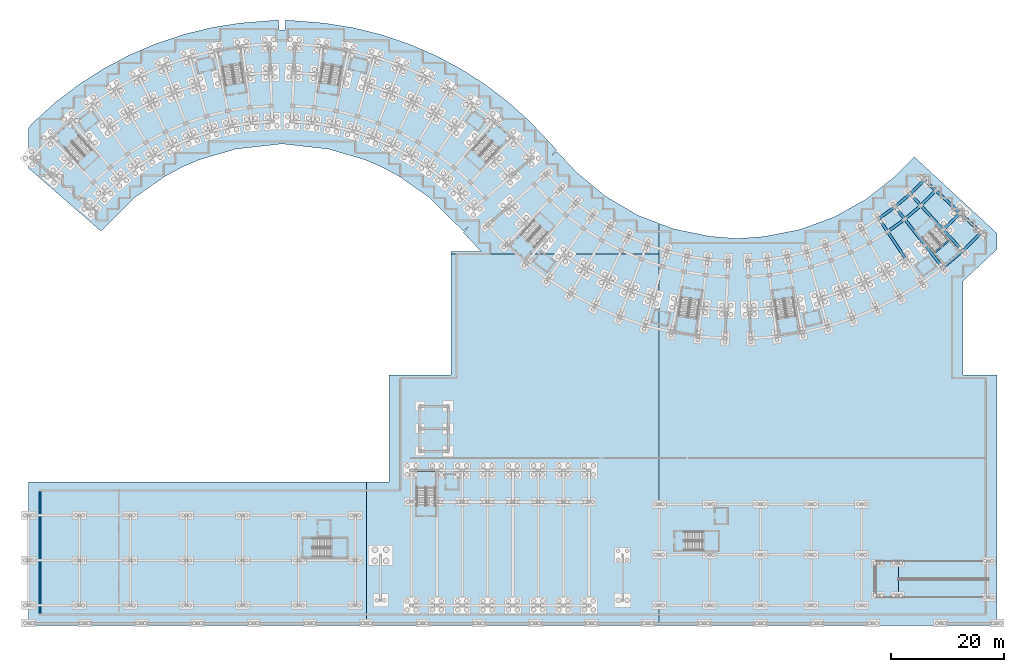
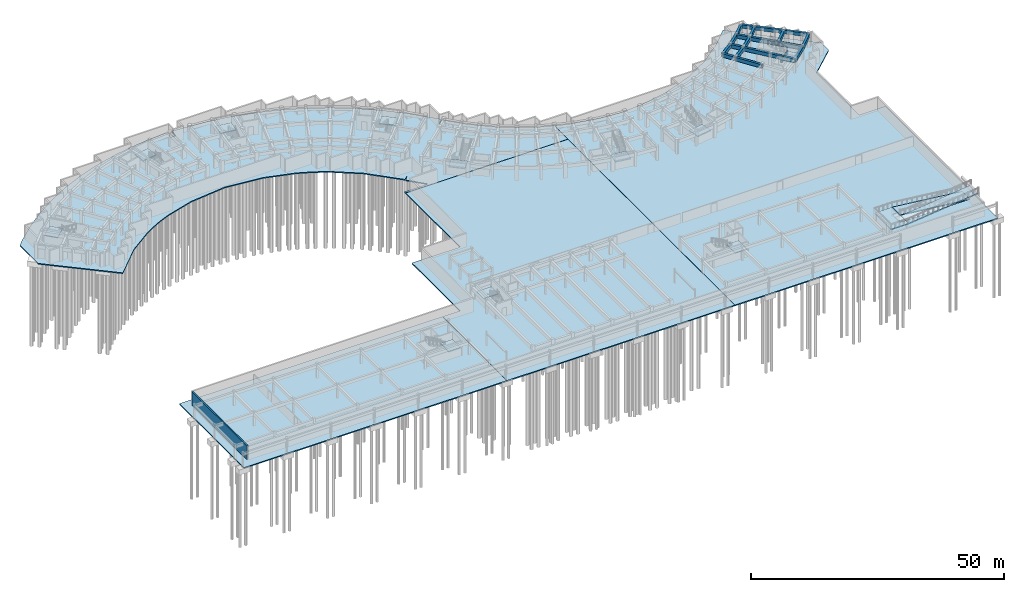
# One storey, part 15 of 32: 21 beams, 18 slabs, 1 wall, 11 elements without a shape of their own.
"""IFC4 building model written with IfcOpenShell, lengths in metres."""

from ifc_helpers import new_model, si_unit, direction, frame, frame_2d, origin, origin_2d, place, context, subcontext, project, spatial, polyline, rectangle, outline, extrude, material, layer, layer_set, material_profile, profile_set, type_object, element, aggregate, save


model = new_model("IFC4")

# Units and contexts
model_context = context("Model", 3, precision=1e-05, world=origin(), true_north=direction((0.0, 1.0)))
body_context = subcontext(model_context, "Body", "Model", "MODEL_VIEW")
ifc_project = project(units=[si_unit("LENGTHUNIT", "METRE"), si_unit("AREAUNIT", "SQUARE_METRE"), si_unit("VOLUMEUNIT", "CUBIC_METRE"), si_unit("PLANEANGLEUNIT", "RADIAN"), si_unit("MASSUNIT", "GRAM", prefix="KILO")], contexts=[model_context])

# Site, building, storey
site_placement = place(None, origin())
site = spatial("IfcSite", under=ifc_project, at=site_placement, CompositionType="ELEMENT")
building_placement = place(site_placement, origin())
building = spatial("IfcBuilding", under=site, at=building_placement, Name="Zimvara Arc Housing Community", CompositionType="ELEMENT")
storey_placement = place(building_placement, frame((0.0, 0.0, -3.60009765625)))
storey = spatial("IfcBuildingStorey", under=building, at=storey_placement, Name="B1", CompositionType="ELEMENT", Elevation=-3.60009765625)

# Beams
ifc_material_1 = material(Name="Concrete C40/50", Category="concrete")
ifc_material_profile_1 = material_profile(ifc_material_1, rectangle(XDim=0.300048828125, YDim=0.5, at=origin_2d()), Name="RC 300x500")
ifc_profile_set_1 = profile_set([ifc_material_profile_1], Name="Concrete C40/50")
beam_type_1 = type_object("IfcBeamType", Name="BM-RC-300x500", PredefinedType="BEAM", material=ifc_profile_set_1)
beam_1_placement = place(storey_placement, frame((160.844482421875, 66.21533203125, 1.550048828125), z_axis=(0.760986863652, 0.648767287515, 0.0), x_axis=(-0.648767287515, 0.760986863652, 0.0)))
element("IfcBeam", 1, at=beam_1_placement, inside=storey, type_object=beam_type_1, Name="bm:stair_trim:ST-D2:B1:mid", PredefinedType="BEAM", context=body_context, shape_type="SweptSolid", body=[
    extrude(rectangle(XDim=0.300048828125, YDim=0.5, at=origin_2d()), origin(), (0.0, 0.0, 1.0), 3.570068359375),
])
ifc_material_2 = material(Name="Concrete C40/50", Category="concrete")
ifc_material_profile_2 = material_profile(ifc_material_2, rectangle(XDim=0.5, YDim=0.85009765625, at=origin_2d()), Name="RC 500x850")
ifc_profile_set_2 = profile_set([ifc_material_profile_2], Name="Concrete C40/50")
beam_type_2 = type_object("IfcBeamType", Name="BM-RC-500x850", PredefinedType="BEAM", material=ifc_profile_set_2)
beam_2_placement = place(storey_placement, frame((151.0146484375, 72.322265625, 2.875), z_axis=(0.809531019898, 0.587077105517, 0.0), x_axis=(-0.587077105517, 0.809531019898, 0.0)))
element("IfcBeam", 2, at=beam_2_placement, inside=storey, type_object=beam_type_2, Name="bm:blkD:B1:chord:r0:b7", PredefinedType="BEAM", context=body_context, shape_type="SweptSolid", body=[
    extrude(rectangle(XDim=0.5, YDim=0.85009765625, at=origin_2d()), origin(), (0.0, 0.0, 1.0), 3.542724609375),
])
beam_3_placement = place(storey_placement, frame((153.882568359375, 74.402099609375, 2.875), z_axis=(0.760971029961, 0.648785859556, 0.0), x_axis=(-0.648785859556, 0.760971029961, 0.0)))
element("IfcBeam", 3, at=beam_3_placement, inside=storey, type_object=beam_type_2, Name="bm:blkD:B1:chord:r0:b8", PredefinedType="BEAM", context=body_context, shape_type="SweptSolid", body=[
    extrude(rectangle(XDim=0.5, YDim=0.85009765625, at=origin_2d()), origin(), (0.0, 0.0, 1.0), 3.54296875),
])
beam_4_placement = place(storey_placement, frame((156.57861328125, 76.70068359375, 2.875), z_axis=(0.70772671761, 0.706486300773, 0.0), x_axis=(-0.706486300773, 0.70772671761, 0.0)))
element("IfcBeam", 4, at=beam_4_placement, inside=storey, type_object=beam_type_2, Name="bm:blkD:B1:chord:r0:b9", PredefinedType="BEAM", context=body_context, shape_type="SweptSolid", body=[
    extrude(rectangle(XDim=0.5, YDim=0.85009765625, at=origin_2d()), origin(), (0.0, 0.0, 1.0), 3.542724609375),
])
for number, where, z_axis, x_axis, name in (
    (5, (152.568115234375, 69.99267578125, 2.875), (0.809521012702, 0.58709090437, 0.0), (-0.58709090437, 0.809521012702, 0.0), "bm:blkD:B1:chord:r1:b7"),
    (6, (155.614013671875, 72.20166015625, 2.875), (0.760971502801, 0.648785304955, 0.0), (-0.648785304955, 0.760971502801, 0.0), "bm:blkD:B1:chord:r1:b8"),
):
    element("IfcBeam", number, at=place(storey_placement, frame(where, z_axis=z_axis, x_axis=x_axis)), inside=storey, type_object=beam_type_2, Name=name, PredefinedType="BEAM", context=body_context, shape_type="SweptSolid", body=[
        extrude(rectangle(XDim=0.5, YDim=0.85009765625, at=origin_2d()), origin(), (0.0, 0.0, 1.0), 3.7626953125),
    ])
beam_5_placement = place(storey_placement, frame((158.477294921875, 74.642822265625, 2.875), z_axis=(0.707722882862, 0.706490142234, 0.0), x_axis=(-0.706490142234, 0.707722882862, 0.0)))
element("IfcBeam", 7, at=beam_5_placement, inside=storey, type_object=beam_type_2, Name="bm:blkD:B1:chord:r1:b9", PredefinedType="BEAM", context=body_context, shape_type="SweptSolid", body=[
    extrude(rectangle(XDim=0.5, YDim=0.85009765625, at=origin_2d()), origin(), (0.0, 0.0, 1.0), 3.762939453125),
])
beam_6_placement = place(storey_placement, frame((162.465087890625, 70.321533203125, 2.875), z_axis=(0.707684482516, 0.706528607493, 0.0), x_axis=(-0.706528607493, 0.707684482516, 0.0)))
element("IfcBeam", 8, at=beam_6_placement, inside=storey, type_object=beam_type_2, Name="bm:blkD:B1:chord:r2:b9", PredefinedType="BEAM", context=body_context, shape_type="SweptSolid", body=[
    extrude(rectangle(XDim=0.5, YDim=0.85009765625, at=origin_2d()), origin(), (0.0, 0.0, 1.0), 4.224365234375),
])
for number, where, z_axis, x_axis, name in (
    (9, (162.391845703125, 63.5888671875, 2.875), (0.761009534972, 0.648740693715, 0.0), (-0.648740693715, 0.761009534972, 0.0), "bm:blkD:B1:chord:r3:b8"),
    (10, (165.91015625, 66.588134765625, 2.875), (0.707713796096, 0.706499244738, 0.0), (-0.706499244738, 0.707713796096, 0.0), "bm:blkD:B1:chord:r3:b9"),
):
    element("IfcBeam", number, at=place(storey_placement, frame(where, z_axis=z_axis, x_axis=x_axis)), inside=storey, type_object=beam_type_2, Name=name, PredefinedType="BEAM", context=body_context, shape_type="SweptSolid", body=[
        extrude(rectangle(XDim=0.5, YDim=0.85009765625, at=origin_2d()), origin(), (0.0, 0.0, 1.0), 4.623291015625),
    ])
beam_7_placement = place(storey_placement, frame((151.0146484375, 72.322265625, 2.875), z_axis=(0.55480079798, -0.831983217716, 0.0), x_axis=(0.831983217716, 0.55480079798, 0.0)))
element("IfcBeam", 11, at=beam_7_placement, inside=storey, type_object=beam_type_2, Name="bm:blkD:B1:rad:b7:r01", PredefinedType="BEAM", context=body_context, shape_type="SweptSolid", body=[
    extrude(rectangle(XDim=0.5, YDim=0.85009765625, at=origin_2d()), origin(), (0.0, 0.0, 1.0), 2.800048828125),
])
beam_8_placement = place(storey_placement, frame((152.568115234375, 69.99267578125, 2.875), z_axis=(0.554843914175, -0.831954464441, 0.0), x_axis=(0.831954464441, 0.554843914175, 0.0)))
element("IfcBeam", 12, at=beam_8_placement, inside=storey, type_object=beam_type_2, Name="bm:blkD:B1:rad:b7:r12", PredefinedType="BEAM", context=body_context, shape_type="SweptSolid", body=[
    extrude(rectangle(XDim=0.5, YDim=0.85009765625, at=origin_2d()), origin(), (0.0, 0.0, 1.0), 5.8798828125),
])
beam_9_placement = place(storey_placement, frame((153.882568359375, 74.402099609375, 2.875), z_axis=(0.618379767762, -0.785879420028, 0.0), x_axis=(0.785879420028, 0.618379767762, 0.0)))
element("IfcBeam", 13, at=beam_9_placement, inside=storey, type_object=beam_type_2, Name="bm:blkD:B1:rad:b8:r01", PredefinedType="BEAM", context=body_context, shape_type="SweptSolid", body=[
    extrude(rectangle(XDim=0.5, YDim=0.85009765625, at=origin_2d()), origin(), (0.0, 0.0, 1.0), 2.800048828125),
])
beam_10_placement = place(storey_placement, frame((155.614013671875, 72.20166015625, 2.875), z_axis=(0.618431976389, -0.785838336161, 0.0), x_axis=(0.785838336161, 0.618431976389, 0.0)))
element("IfcBeam", 14, at=beam_10_placement, inside=storey, type_object=beam_type_2, Name="bm:blkD:B1:rad:b8:r12", PredefinedType="BEAM", context=body_context, shape_type="SweptSolid", body=[
    extrude(rectangle(XDim=0.5, YDim=0.85009765625, at=origin_2d()), origin(), (0.0, 0.0, 1.0), 5.880126953125),
])
beam_11_placement = place(storey_placement, frame((159.25048828125, 67.580810546875, 2.875), z_axis=(0.618409338539, -0.785856150964, 0.0), x_axis=(0.785856150964, 0.618409338539, 0.0)))
element("IfcBeam", 15, at=beam_11_placement, inside=storey, type_object=beam_type_2, Name="bm:blkD:B1:rad:b8:r23", PredefinedType="BEAM", context=body_context, shape_type="SweptSolid", body=[
    extrude(rectangle(XDim=0.5, YDim=0.85009765625, at=origin_2d()), origin(), (0.0, 0.0, 1.0), 5.079833984375),
])
beam_12_placement = place(storey_placement, frame((156.57861328125, 76.70068359375, 2.875), z_axis=(0.678109874626, -0.734960541754, 0.0), x_axis=(0.734960541754, 0.678109874626, 0.0)))
element("IfcBeam", 16, at=beam_12_placement, inside=storey, type_object=beam_type_2, Name="bm:blkD:B1:rad:b9:r01", PredefinedType="BEAM", context=body_context, shape_type="SweptSolid", body=[
    extrude(rectangle(XDim=0.5, YDim=0.85009765625, at=origin_2d()), origin(), (0.0, 0.0, 1.0), 2.800048828125),
])
beam_13_placement = place(storey_placement, frame((158.477294921875, 74.642822265625, 2.875), z_axis=(0.678180078146, -0.734895762409, 0.0), x_axis=(0.734895762409, 0.678180078146, 0.0)))
element("IfcBeam", 17, at=beam_13_placement, inside=storey, type_object=beam_type_2, Name="bm:blkD:B1:rad:b9:r12", PredefinedType="BEAM", context=body_context, shape_type="SweptSolid", body=[
    extrude(rectangle(XDim=0.5, YDim=0.85009765625, at=origin_2d()), origin(), (0.0, 0.0, 1.0), 5.880126953125),
])
beam_14_placement = place(storey_placement, frame((162.465087890625, 70.321533203125, 2.875), z_axis=(0.678158334116, -0.734915827744, 0.0), x_axis=(0.734915827744, 0.678158334116, 0.0)))
element("IfcBeam", 18, at=beam_14_placement, inside=storey, type_object=beam_type_2, Name="bm:blkD:B1:rad:b9:r23", PredefinedType="BEAM", context=body_context, shape_type="SweptSolid", body=[
    extrude(rectangle(XDim=0.5, YDim=0.85009765625, at=origin_2d()), origin(), (0.0, 0.0, 1.0), 5.080078125),
])
beam_15_placement = place(storey_placement, frame((159.0859375, 79.20361328125, 2.875), z_axis=(0.733746184278, -0.679423680083, 0.0), x_axis=(0.679423680083, 0.733746184278, 0.0)))
element("IfcBeam", 19, at=beam_15_placement, inside=storey, type_object=beam_type_2, Name="bm:blkD:B1:rad:b10:r01", PredefinedType="BEAM", context=body_context, shape_type="SweptSolid", body=[
    extrude(rectangle(XDim=0.5, YDim=0.85009765625, at=origin_2d()), origin(), (0.0, 0.0, 1.0), 2.800048828125),
])
beam_16_placement = place(storey_placement, frame((161.140380859375, 77.30126953125, 2.875), z_axis=(0.733720040868, -0.679451912668, 0.0), x_axis=(0.679451912668, 0.733720040868, 0.0)))
element("IfcBeam", 20, at=beam_16_placement, inside=storey, type_object=beam_type_2, Name="bm:blkD:B1:rad:b10:r12", PredefinedType="BEAM", context=body_context, shape_type="SweptSolid", body=[
    extrude(rectangle(XDim=0.5, YDim=0.85009765625, at=origin_2d()), origin(), (0.0, 0.0, 1.0), 5.8798828125),
])
beam_17_placement = place(storey_placement, frame((165.45458984375, 73.30615234375, 2.875), z_axis=(0.733737603291, -0.679432947035, 0.0), x_axis=(0.679432947035, 0.733737603291, 0.0)))
element("IfcBeam", 21, at=beam_17_placement, inside=storey, type_object=beam_type_2, Name="bm:blkD:B1:rad:b10:r23", PredefinedType="BEAM", context=body_context, shape_type="SweptSolid", body=[
    extrude(rectangle(XDim=0.5, YDim=0.85009765625, at=origin_2d()), origin(), (0.0, 0.0, 1.0), 5.080322265625),
])

# Slabs
ifc_material_3 = material(Name="Concrete C35/45", Category="concrete")
ifc_layer_1 = layer(ifc_material_3, 0.25)
ifc_layer_set_1 = layer_set([ifc_layer_1], Name="Concrete C35/45")
slab_type_1 = type_object("IfcSlabType", Name="SLB-BASE-250", PredefinedType="BASESLAB", material=ifc_layer_set_1)
slab_1_placement = place(storey_placement, frame((0.0, 0.0, -0.25)))
element("IfcSlab", 22, at=slab_1_placement, inside=storey, type_object=slab_type_1, Name="slab:B1:base:z1", PredefinedType="BASESLAB", context=body_context, shape_type="SweptSolid", body=[
    extrude(outline(polyline([(59.989990234375, 0.0), (59.989990234375, 25.5), (0.0, 25.5), (0.0, 0.0), (59.989990234375, 0.0)])), origin(), (0.0, 0.0, 1.0), 0.25),
])
slab_2_placement = place(storey_placement, frame((0.0, 0.0, -0.25)))
element("IfcSlab", 23, at=slab_2_placement, inside=storey, type_object=slab_type_1, Name="slab:B1:base:z2", PredefinedType="BASESLAB", context=body_context, shape_type="SweptSolid", body=[
    extrude(outline(polyline([(64.0, 44.5), (64.0, 25.5), (60.010009765625, 25.5), (60.010009765625, 0.0), (111.989990234375, 0.0), (111.989990234375, 66.0), (75.0, 66.0), (75.0, 44.5), (64.0, 44.5)])), origin(), (0.0, 0.0, 1.0), 0.25),
])
slab_3_placement = place(storey_placement, frame((0.0, 0.0, -0.25)))
element("IfcSlab", 24, at=slab_3_placement, inside=storey, type_object=slab_type_1, Name="slab:B1:base:z3", PredefinedType="BASESLAB", context=body_context, shape_type="SweptSolid", body=[
    extrude(outline(polyline([(112.010009765625, 71.45458984375), (112.010009765625, 0.0), (172.0, 0.0), (172.0, 44.5), (166.0, 44.5), (166.0, 61.253173828125), (172.0, 66.8486328125), (172.0, 69.6982421875), (157.3369140625, 83.276611328125), (153.78369140625, 79.7294921875), (148.727783203125, 75.7509765625), (143.112060546875, 72.6123046875), (137.07421875, 70.39111328125), (130.76318359375, 69.141357421875), (125.96484375, 68.76806640625), (121.06884765625, 69.15673828125), (114.514404296875, 70.497314453125), (112.010009765625, 71.45458984375)]), holes=[polyline([(170.47998046875, 11.5), (170.47998046875, 8.39990234375), (154.5, 8.39990234375), (154.5, 11.5), (170.47998046875, 11.5)])]), origin(), (0.0, 0.0, 1.0), 0.25),
])
slab_4_placement = place(storey_placement, frame((0.0, 0.0, -0.25)))
element("IfcSlab", 25, at=slab_4_placement, inside=storey, type_object=slab_type_1, Name="slab:B1:base:z4", PredefinedType="BASESLAB", context=body_context, shape_type="SweptSolid", body=[
    extrude(outline(polyline([(75.0, 66.02001953125), (111.989990234375, 66.02001953125), (111.989990234375, 71.46240234375), (108.26513671875, 72.88623046875), (102.48779296875, 76.259521484375), (97.335693359375, 80.527587890625), (93.801513671875, 84.272705078125), (92.723388671875, 83.335693359375), (93.7841796875, 84.5224609375), (89.016845703125, 89.574462890625), (85.1923828125, 93.015380859375), (81.10009765625, 96.133056640625), (76.76708984375, 98.90625), (72.22216796875, 101.31689453125), (67.49560546875, 103.348388671875), (62.619140625, 104.98779296875), (57.625, 106.223388671875), (52.547119140625, 107.0478515625), (45.62255859375, 107.59765625), (45.555419921875, 105.85009765625), (44.444580078125, 105.85009765625), (44.37744140625, 107.59765625), (37.452880859375, 107.0478515625), (32.375, 106.223388671875), (27.380859375, 104.98779296875), (22.50439453125, 103.348388671875), (17.77783203125, 101.31689453125), (13.23291015625, 98.90625), (8.89990234375, 96.133056640625), (4.8076171875, 93.015380859375), (0.983154296875, 89.574462890625), (0.0, 88.53271484375), (0.0, 81.23291015625), (12.821533203125, 70.087158203125), (18.844482421875, 76.071533203125), (24.327392578125, 79.905029296875), (27.28515625, 81.473876953125), (30.36083984375, 82.7958984375), (36.7841796875, 84.6669921875), (45.0, 85.59326171875), (53.2158203125, 84.6669921875), (59.63916015625, 82.7958984375), (62.71484375, 81.473876953125), (65.672607421875, 79.905029296875), (71.155517578125, 76.071533203125), (77.178466796875, 70.087158203125), (78.256591796875, 71.0244140625), (77.19580078125, 69.83740234375), (80.34521484375, 66.5), (75.0, 66.5), (75.0, 66.02001953125)])), origin(), (0.0, 0.0, 1.0), 0.25),
])
ifc_material_4 = material(Name="Concrete C35/45", Category="concrete")
ifc_layer_2 = layer(ifc_material_4, 0.25)
ifc_layer_set_2 = layer_set([ifc_layer_2], Name="Concrete C35/45")
slab_type_2 = type_object("IfcSlabType", Name="SLB-RAMP-250", PredefinedType="FLOOR", material=ifc_layer_set_2)
slab_5_placement = place(storey_placement, frame((154.5, 5.0, 1.800048828125), z_axis=(-0.111797767792, 0.0, 0.993730979248), x_axis=(0.993730979248, 0.0, 0.111797767792)))
element("IfcSlab", 26, at=slab_5_placement, inside=storey, type_object=slab_type_2, Name="slab:B1:ramp_upper", PredefinedType="FLOOR", context=body_context, shape_type="SweptSolid", body=[
    extrude(outline(polyline([(0.0, 0.0), (16.100937108865253, 0.0), (16.100937108865253, 3.1000976562499996), (0.0, 3.1000976562499996), (0.0, 0.0)])), origin(), (0.0, 0.0, -1.0), 0.25),
])
slab_6_placement = place(storey_placement, frame((170.5, 8.39990234375, 0.0), z_axis=(0.111797767792, 0.0, 0.993730979248), x_axis=(-0.993730979248, 0.0, 0.111797767792)))
element("IfcSlab", 27, at=slab_6_placement, inside=storey, type_object=slab_type_2, Name="slab:B1:ramp_lower", PredefinedType="FLOOR", context=body_context, shape_type="SweptSolid", body=[
    extrude(outline(polyline([(0.0, 0.0), (16.100937108865253, 0.0), (16.100937108865253, -3.1000976562499996), (0.0, -3.1000976562499996), (0.0, 0.0)])), origin(), (0.0, 0.0, -1.0), 0.25),
])
ifc_material_5 = material(Name="Concrete C35/45", Category="concrete")
ifc_layer_3 = layer(ifc_material_5, 0.25)
ifc_layer_set_3 = layer_set([ifc_layer_3], Name="Concrete C35/45")
slab_type_3 = type_object("IfcSlabType", Name="SLB-RAMP-LDG-250", PredefinedType="LANDING", material=ifc_layer_set_3)
slab_7_placement = place(storey_placement, frame((0.0, 0.0, 1.550048828125)))
element("IfcSlab", 28, at=slab_7_placement, inside=storey, type_object=slab_type_3, Name="slab:B1:ramp_landing", PredefinedType="LANDING", context=body_context, shape_type="SweptSolid", body=[
    extrude(outline(polyline([(150.5, 5.0), (154.5, 5.0), (154.5, 11.5), (150.5, 11.5), (150.5, 5.0)])), origin(), (0.0, 0.0, 1.0), 0.25),
])

# Stair, slab
ifc_material_6 = material(Name="Concrete C35/45", Category="concrete")
stair_type_1 = type_object("IfcStairType", Name="STR-DL-312-360", PredefinedType="HALF_TURN_STAIR", material=ifc_material_6)
stair_1_placement = place(storey_placement, origin())
stair_1 = element("IfcStair", 29, at=stair_1_placement, inside=storey, type_object=stair_type_1, Name="B1 Block A Exit Stair 1", PredefinedType="HALF_TURN_STAIR")
ifc_material_7 = material(Name="Concrete C35/45", Category="concrete")
ifc_layer_4 = layer(ifc_material_7, 0.199951171875)
ifc_layer_set_4 = layer_set([ifc_layer_4], Name="Concrete C35/45")
slab_type_4 = type_object("IfcSlabType", Name="SLB-STAIR-LND-200", PredefinedType="LANDING", material=ifc_layer_set_4)
slab_8_placement = place(storey_placement, frame((0.0, 0.0, 1.60009765625)))
slab_8 = element("IfcSlab", 30, at=slab_8_placement, type_object=slab_type_4, Name="ST-A1 landing 1", PredefinedType="LANDING", context=body_context, shape_type="SweptSolid", body=[
    extrude(outline(polyline([(8.93115234375, 87.098388671875), (7.09326171875, 89.14111328125), (4.595458984375, 86.8935546875), (6.433349609375, 84.850830078125), (8.93115234375, 87.098388671875)])), origin(), (0.0, 0.0, 1.0), 0.199951171875),
])
aggregate(stair_1, [slab_8])

ifc_material_8 = material(Name="Concrete C35/45", Category="concrete")
stair_type_2 = type_object("IfcStairType", Name="STR-DL-315-360", PredefinedType="HALF_TURN_STAIR", material=ifc_material_8)
stair_2_placement = place(storey_placement, origin())
stair_2 = element("IfcStair", 31, at=stair_2_placement, inside=storey, type_object=stair_type_2, Name="B1 Block A Exit Stair 2", PredefinedType="HALF_TURN_STAIR")
slab_9_placement = place(storey_placement, frame((0.0, 0.0, 1.60009765625)))
slab_9 = element("IfcSlab", 32, at=slab_9_placement, type_object=slab_type_4, Name="ST-A2 landing 1", PredefinedType="LANDING", context=body_context, shape_type="SweptSolid", body=[
    extrude(outline(polyline([(37.713623046875, 99.873046875), (37.278564453125, 102.552978515625), (33.962158203125, 102.014404296875), (34.397216796875, 99.33447265625), (37.713623046875, 99.873046875)])), origin(), (0.0, 0.0, 1.0), 0.199951171875),
])
aggregate(stair_2, [slab_9])

stair_3_placement = place(storey_placement, origin())
stair_3 = element("IfcStair", 33, at=stair_3_placement, inside=storey, type_object=stair_type_2, Name="B1 Block B Exit Stair 1", PredefinedType="HALF_TURN_STAIR")
slab_10_placement = place(storey_placement, frame((0.0, 0.0, 1.60009765625)))
slab_10 = element("IfcSlab", 34, at=slab_10_placement, type_object=slab_type_4, Name="ST-B1 landing 1", PredefinedType="LANDING", context=body_context, shape_type="SweptSolid", body=[
    extrude(outline(polyline([(55.602783203125, 99.33447265625), (56.037841796875, 102.014404296875), (52.721435546875, 102.552978515625), (52.286376953125, 99.873046875), (55.602783203125, 99.33447265625)])), origin(), (0.0, 0.0, 1.0), 0.199951171875),
])
aggregate(stair_3, [slab_10])

ifc_material_9 = material(Name="Concrete C35/45", Category="concrete")
stair_type_3 = type_object("IfcStairType", Name="STR-DL-318-360", PredefinedType="HALF_TURN_STAIR", material=ifc_material_9)
stair_4_placement = place(storey_placement, origin())
stair_4 = element("IfcStair", 35, at=stair_4_placement, inside=storey, type_object=stair_type_3, Name="B1 Block B Exit Stair 2", PredefinedType="HALF_TURN_STAIR")
slab_11_placement = place(storey_placement, frame((0.0, 0.0, 1.60009765625)))
slab_11 = element("IfcSlab", 36, at=slab_11_placement, type_object=slab_type_4, Name="ST-B2 landing 1", PredefinedType="LANDING", context=body_context, shape_type="SweptSolid", body=[
    extrude(outline(polyline([(83.610595703125, 84.89990234375), (85.404541015625, 86.8935546875), (82.90673828125, 89.14111328125), (81.113037109375, 87.147216796875), (83.610595703125, 84.89990234375)])), origin(), (0.0, 0.0, 1.0), 0.199951171875),
])
aggregate(stair_4, [slab_11])

stair_5_placement = place(storey_placement, origin())
stair_5 = element("IfcStair", 37, at=stair_5_placement, inside=storey, type_object=stair_type_3, Name="B1 Block C Exit Stair 1", PredefinedType="HALF_TURN_STAIR")
slab_12_placement = place(storey_placement, frame((0.0, 0.0, 1.60009765625)))
slab_12 = element("IfcSlab", 38, at=slab_12_placement, type_object=slab_type_4, Name="ST-C1 landing 1", PredefinedType="LANDING", context=body_context, shape_type="SweptSolid", body=[
    extrude(outline(polyline([(87.369384765625, 69.4599609375), (85.575439453125, 67.46630859375), (88.0732421875, 65.218994140625), (89.8671875, 67.212646484375), (87.369384765625, 69.4599609375)])), origin(), (0.0, 0.0, 1.0), 0.199951171875),
])
aggregate(stair_5, [slab_12])

ifc_material_10 = material(Name="Concrete C35/45", Category="concrete")
stair_type_4 = type_object("IfcStairType", Name="STR-DL-310-360", PredefinedType="HALF_TURN_STAIR", material=ifc_material_10)
stair_6_placement = place(storey_placement, origin())
stair_6 = element("IfcStair", 39, at=stair_6_placement, inside=storey, type_object=stair_type_4, Name="B1 Block C Exit Stair 2", PredefinedType="HALF_TURN_STAIR")
slab_13_placement = place(storey_placement, frame((0.0, 0.0, 1.60009765625)))
slab_13 = element("IfcSlab", 40, at=slab_13_placement, type_object=slab_type_4, Name="ST-C2 landing 1", PredefinedType="LANDING", context=body_context, shape_type="SweptSolid", body=[
    extrude(outline(polyline([(115.385986328125, 55.07958984375), (114.942138671875, 52.345458984375), (118.2587890625, 51.80712890625), (118.702392578125, 54.541259765625), (115.385986328125, 55.07958984375)])), origin(), (0.0, 0.0, 1.0), 0.199951171875),
])
aggregate(stair_6, [slab_13])

stair_7_placement = place(storey_placement, origin())
stair_7 = element("IfcStair", 41, at=stair_7_placement, inside=storey, type_object=stair_type_4, Name="B1 Block D Exit Stair 1", PredefinedType="HALF_TURN_STAIR")
slab_14_placement = place(storey_placement, frame((0.0, 0.0, 1.60009765625)))
slab_14 = element("IfcSlab", 42, at=slab_14_placement, type_object=slab_type_4, Name="ST-D1 landing 1", PredefinedType="LANDING", context=body_context, shape_type="SweptSolid", body=[
    extrude(outline(polyline([(132.996826171875, 54.507568359375), (133.427734375, 51.771484375), (136.746826171875, 52.294189453125), (136.31591796875, 55.0302734375), (132.996826171875, 54.507568359375)])), origin(), (0.0, 0.0, 1.0), 0.199951171875),
])
aggregate(stair_7, [slab_14])

stair_8_placement = place(storey_placement, origin())
stair_8 = element("IfcStair", 43, at=stair_8_placement, inside=storey, type_object=stair_type_1, Name="B1 Block D Exit Stair 2", PredefinedType="HALF_TURN_STAIR")
slab_15_placement = place(storey_placement, frame((0.0, 0.0, 1.60009765625)))
slab_15 = element("IfcSlab", 44, at=slab_15_placement, type_object=slab_type_4, Name="ST-D2 landing 1", PredefinedType="LANDING", context=body_context, shape_type="SweptSolid", body=[
    extrude(outline(polyline([(160.8984375, 66.31396484375), (162.681396484375, 64.22265625), (165.23828125, 66.402587890625), (163.455322265625, 68.493896484375), (160.8984375, 66.31396484375)])), origin(), (0.0, 0.0, 1.0), 0.199951171875),
])
aggregate(stair_8, [slab_15])

stair_9_placement = place(storey_placement, origin())
stair_9 = element("IfcStair", 45, at=stair_9_placement, inside=storey, type_object=stair_type_4, Name="B1 Community Hall Stair ST-H1", PredefinedType="HALF_TURN_STAIR")
slab_16_placement = place(storey_placement, frame((0.0, 0.0, 1.60009765625)))
slab_16 = element("IfcSlab", 46, at=slab_16_placement, type_object=slab_type_4, Name="ST-H1 landing 1", PredefinedType="LANDING", context=body_context, shape_type="SweptSolid", body=[
    extrude(outline(polyline([(72.260009765625, 24.60009765625), (72.260009765625, 27.389892578125), (68.89990234375, 27.389892578125), (68.89990234375, 24.60009765625), (72.260009765625, 24.60009765625)])), origin(), (0.0, 0.0, 1.0), 0.199951171875),
])
aggregate(stair_9, [slab_16])

stair_10_placement = place(storey_placement, origin())
stair_10 = element("IfcStair", 47, at=stair_10_placement, inside=storey, type_object=stair_type_1, Name="B1 Nursery Stair ST-N1", PredefinedType="HALF_TURN_STAIR")
slab_17_placement = place(storey_placement, frame((0.0, 0.0, 1.60009765625)))
slab_17 = element("IfcSlab", 48, at=slab_17_placement, type_object=slab_type_4, Name="ST-N1 landing 1", PredefinedType="LANDING", context=body_context, shape_type="SweptSolid", body=[
    extrude(outline(polyline([(119.77197265625, 13.360107421875), (122.5400390625, 13.360107421875), (122.5400390625, 16.719970703125), (119.77197265625, 16.719970703125), (119.77197265625, 13.360107421875)])), origin(), (0.0, 0.0, 1.0), 0.199951171875),
])
aggregate(stair_10, [slab_17])

stair_11_placement = place(storey_placement, origin())
stair_11 = element("IfcStair", 49, at=stair_11_placement, inside=storey, type_object=stair_type_4, Name="B1 Shops Wing Stair ST-S1", PredefinedType="HALF_TURN_STAIR")
slab_18_placement = place(storey_placement, frame((0.0, 0.0, 1.60009765625)))
slab_18 = element("IfcSlab", 50, at=slab_18_placement, type_object=slab_type_4, Name="ST-S1 landing 1", PredefinedType="LANDING", context=body_context, shape_type="SweptSolid", body=[
    extrude(outline(polyline([(53.75, 12.159912109375), (56.5400390625, 12.159912109375), (56.5400390625, 15.52001953125), (53.75, 15.52001953125), (53.75, 12.159912109375)])), origin(), (0.0, 0.0, 1.0), 0.199951171875),
])
aggregate(stair_11, [slab_18])

# Wall
ifc_material_11 = material(Name="Concrete C35/45", Category="concrete")
ifc_layer_5 = layer(ifc_material_11, 0.320068359375)
ifc_layer_set_5 = layer_set([ifc_layer_5], Name="Concrete C35/45")
wall_type = type_object("IfcWallType", Name="WL-RET-320", PredefinedType="USERDEFINED", material=ifc_layer_set_5)
wall_placement = place(storey_placement, frame((2.0, 23.824951171875, 0.0), z_axis=(0.0, 0.0, 1.0), x_axis=(0.0, -1.0, 0.0)))
element("IfcWall", 51, at=wall_placement, inside=storey, type_object=wall_type, Name="wall:B1:ret:134", ObjectType="RETAINING WALL", PredefinedType="USERDEFINED", context=body_context, shape_type="SweptSolid", body=[
    extrude(rectangle(XDim=21.64990234375, YDim=0.320068359375, at=frame_2d((10.824951171875, 0.0))), origin(), (0.0, 0.0, 1.0), 3.300048828125),
])

save(model, "model.ifc")
